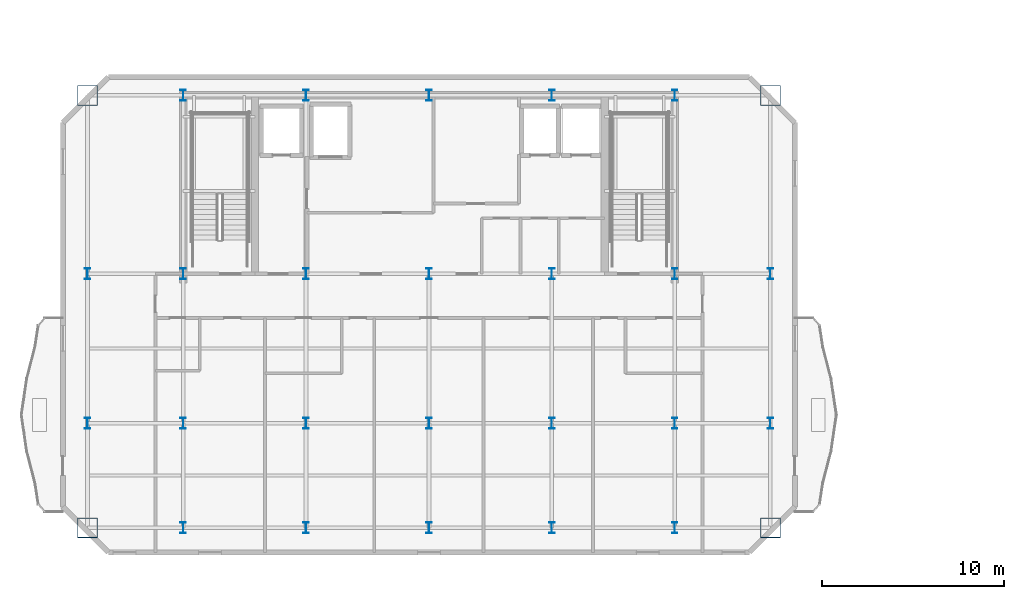
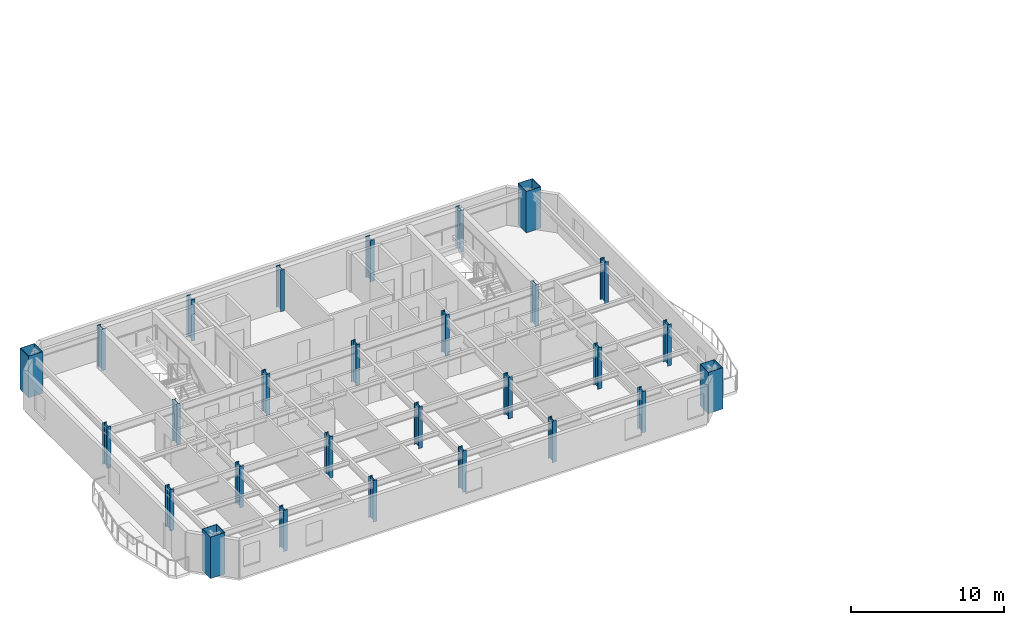
# One storey, part 1 of 13: 28 columns.
"""IFC4 building model written with IfcOpenShell, lengths in metres."""

from ifc_helpers import new_model, si_unit, direction, frame, origin, origin_2d, place, context, subcontext, project, spatial, hollow_rectangle, i_section, extrude, material, material_profile, profile_set, type_object, element, save


model = new_model("IFC4")

# Units and contexts
model_context = context("Model", 3, precision=1e-05, world=origin(), true_north=direction((0.0, 1.0)))
body_context = subcontext(model_context, "Body", "Model", "MODEL_VIEW")
ifc_project = project(units=[si_unit("LENGTHUNIT", "METRE"), si_unit("AREAUNIT", "SQUARE_METRE"), si_unit("VOLUMEUNIT", "CUBIC_METRE"), si_unit("PLANEANGLEUNIT", "RADIAN"), si_unit("MASSUNIT", "GRAM", prefix="KILO")], contexts=[model_context])

# Site, building, storey
site_placement = place(None, origin())
site = spatial("IfcSite", under=ifc_project, at=site_placement, CompositionType="ELEMENT")
building_placement = place(site_placement, origin())
building = spatial("IfcBuilding", under=site, at=building_placement, Name="Haevon Station Towers", CompositionType="ELEMENT")
storey_placement = place(building_placement, frame((0.0, 0.0, 225.300048828125)))
storey = spatial("IfcBuildingStorey", under=building, at=storey_placement, Name="L62", CompositionType="ELEMENT", Elevation=225.300048828125)

# Columns
ifc_material_1 = material(Name="Steel S460", Category="steel")
ifc_material_profile_1 = material_profile(ifc_material_1, hollow_rectangle(XDim=1.10009765625, YDim=1.10009765625, WallThickness=0.031982421875, at=origin_2d()), Name="BOX-1100x1100x32")
ifc_profile_set_1 = profile_set([ifc_material_profile_1], Name="Steel S460")
column_type_1 = type_object("IfcColumnType", Name="COL-MC5", PredefinedType="COLUMN", material=ifc_profile_set_1)
for number, where, z_axis, x_axis, name in (
    (1, (18.75, 24.25, 0.0), (0.0, 0.0, 1.0), (1.0, 0.0, 0.0), "COL-T1-L62-01-01"),
    (2, (18.75, 48.0, 0.0), (0.0, 0.0, 1.0), (1.0, 0.0, 0.0), "COL-T1-L62-01-04"),
    (3, (56.25, 24.25, 0.0), (0.0, 0.0, 1.0), (1.0, 0.0, 0.0), "COL-T1-L62-07-01"),
    (4, (56.25, 48.0, 0.0), (0.0, 0.0, 1.0), (1.0, 0.0, 0.0), "COL-T1-L62-07-04"),
):
    element("IfcColumn", number, at=place(storey_placement, frame(where, z_axis=z_axis, x_axis=x_axis)), inside=storey, type_object=column_type_1, Name=name, PredefinedType="COLUMN", context=body_context, shape_type="SweptSolid", body=[
        extrude(hollow_rectangle(XDim=1.10009765625, YDim=1.10009765625, WallThickness=0.031982421875, at=origin_2d()), origin(), (0.0, 0.0, 1.0), 3.300048828125),
    ])
ifc_material_2 = material(Name="Steel S355", Category="steel")
ifc_material_profile_2 = material_profile(ifc_material_2, i_section(OverallWidth=0.300048828125, OverallDepth=0.60009765625, WebThickness=0.013916015625, FlangeThickness=0.02490234375, at=origin_2d()), Name="H-600x300x14x25")
ifc_profile_set_2 = profile_set([ifc_material_profile_2], Name="Steel S355")
column_type_2 = type_object("IfcColumnType", Name="COL-TW4", PredefinedType="COLUMN", material=ifc_profile_set_2)
for number, where, z_axis, x_axis, name in (
    (5, (18.75, 30.0, 0.0), (0.0, 0.0, 1.0), (1.0, 0.0, 0.0), "COL-T1-L62-01-02"),
    (6, (18.75, 38.199951171875, 0.0), (0.0, 0.0, 1.0), (1.0, 0.0, 0.0), "COL-T1-L62-01-03"),
    (7, (24.0, 24.25, 0.0), (0.0, 0.0, 1.0), (1.0, 0.0, 0.0), "COL-T1-L62-02-01"),
    (8, (24.0, 30.0, 0.0), (0.0, 0.0, 1.0), (1.0, 0.0, 0.0), "COL-T1-L62-02-02"),
    (9, (24.0, 38.199951171875, 0.0), (0.0, 0.0, 1.0), (1.0, 0.0, 0.0), "COL-T1-L62-02-03"),
    (10, (24.0, 48.0, 0.0), (0.0, 0.0, 1.0), (1.0, 0.0, 0.0), "COL-T1-L62-02-04"),
    (11, (30.75, 24.25, 0.0), (0.0, 0.0, 1.0), (1.0, 0.0, 0.0), "COL-T1-L62-03-01"),
    (12, (30.75, 30.0, 0.0), (0.0, 0.0, 1.0), (1.0, 0.0, 0.0), "COL-T1-L62-03-02"),
    (13, (30.75, 38.199951171875, 0.0), (0.0, 0.0, 1.0), (1.0, 0.0, 0.0), "COL-T1-L62-03-03"),
    (14, (30.75, 48.0, 0.0), (0.0, 0.0, 1.0), (1.0, 0.0, 0.0), "COL-T1-L62-03-04"),
    (15, (37.5, 24.25, 0.0), (0.0, 0.0, 1.0), (1.0, 0.0, 0.0), "COL-T1-L62-04-01"),
    (16, (37.5, 30.0, 0.0), (0.0, 0.0, 1.0), (1.0, 0.0, 0.0), "COL-T1-L62-04-02"),
    (17, (37.5, 38.199951171875, 0.0), (0.0, 0.0, 1.0), (1.0, 0.0, 0.0), "COL-T1-L62-04-03"),
    (18, (37.5, 48.0, 0.0), (0.0, 0.0, 1.0), (1.0, 0.0, 0.0), "COL-T1-L62-04-04"),
    (19, (44.25, 24.25, 0.0), (0.0, 0.0, 1.0), (1.0, 0.0, 0.0), "COL-T1-L62-05-01"),
    (20, (44.25, 30.0, 0.0), (0.0, 0.0, 1.0), (1.0, 0.0, 0.0), "COL-T1-L62-05-02"),
    (21, (44.25, 38.199951171875, 0.0), (0.0, 0.0, 1.0), (1.0, 0.0, 0.0), "COL-T1-L62-05-03"),
    (22, (44.25, 48.0, 0.0), (0.0, 0.0, 1.0), (1.0, 0.0, 0.0), "COL-T1-L62-05-04"),
    (23, (51.0, 24.25, 0.0), (0.0, 0.0, 1.0), (1.0, 0.0, 0.0), "COL-T1-L62-06-01"),
    (24, (51.0, 30.0, 0.0), (0.0, 0.0, 1.0), (1.0, 0.0, 0.0), "COL-T1-L62-06-02"),
    (25, (51.0, 38.199951171875, 0.0), (0.0, 0.0, 1.0), (1.0, 0.0, 0.0), "COL-T1-L62-06-03"),
    (26, (51.0, 48.0, 0.0), (0.0, 0.0, 1.0), (1.0, 0.0, 0.0), "COL-T1-L62-06-04"),
    (27, (56.25, 30.0, 0.0), (0.0, 0.0, 1.0), (1.0, 0.0, 0.0), "COL-T1-L62-07-02"),
    (28, (56.25, 38.199951171875, 0.0), (0.0, 0.0, 1.0), (1.0, 0.0, 0.0), "COL-T1-L62-07-03"),
):
    element("IfcColumn", number, at=place(storey_placement, frame(where, z_axis=z_axis, x_axis=x_axis)), inside=storey, type_object=column_type_2, Name=name, PredefinedType="COLUMN", context=body_context, shape_type="SweptSolid", body=[
        extrude(i_section(OverallWidth=0.300048828125, OverallDepth=0.60009765625, WebThickness=0.013916015625, FlangeThickness=0.02490234375, at=origin_2d()), origin(), (0.0, 0.0, 1.0), 3.300048828125),
    ])

save(model, "model.ifc")
